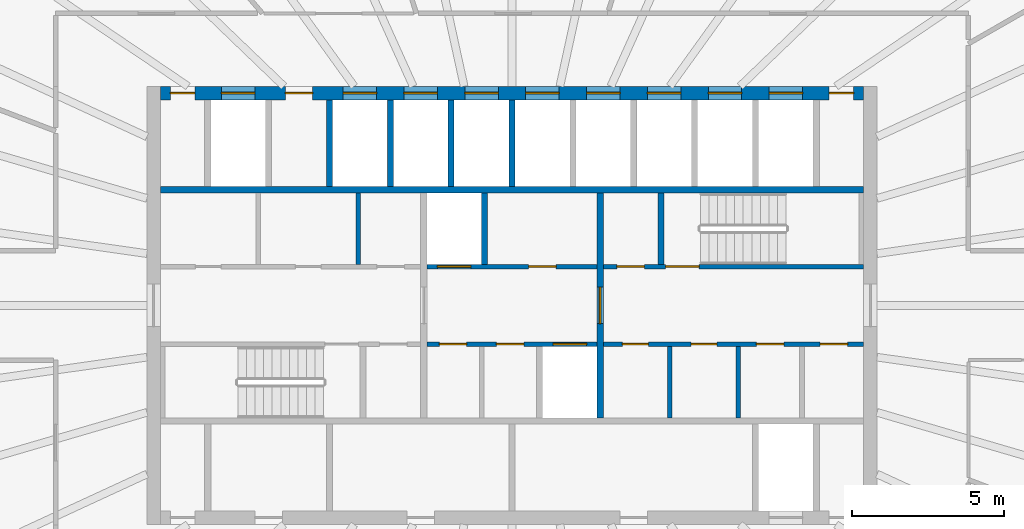
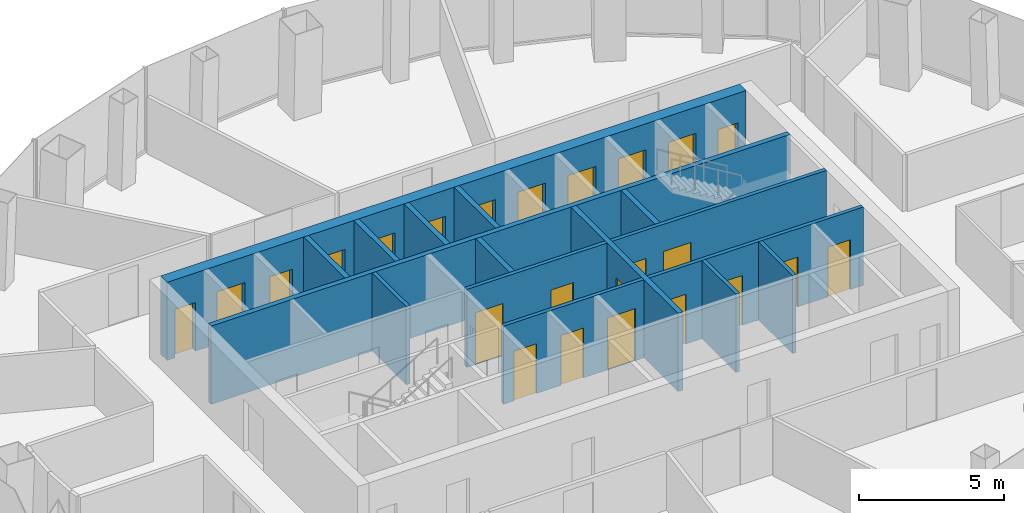
# One storey, part 9 of 11: 24 doors, 16 walls, 24 openings.
"""IFC4 building model written with IfcOpenShell, lengths in metres."""

from ifc_helpers import new_model, si_unit, direction, frame, frame_2d, origin, place, context, subcontext, project, spatial, rectangle, extrude, material, layer, layer_set, type_object, element, fill, save


model = new_model("IFC4")

# Units and contexts
model_context = context("Model", 3, precision=1e-05, world=origin(), true_north=direction((0.0, 1.0)))
body_context = subcontext(model_context, "Body", "Model", "MODEL_VIEW")
ifc_project = project(units=[si_unit("LENGTHUNIT", "METRE"), si_unit("AREAUNIT", "SQUARE_METRE"), si_unit("VOLUMEUNIT", "CUBIC_METRE"), si_unit("PLANEANGLEUNIT", "RADIAN"), si_unit("MASSUNIT", "GRAM", prefix="KILO")], contexts=[model_context])

# Site, building, storey
site_placement = place(None, origin())
site = spatial("IfcSite", under=ifc_project, at=site_placement, CompositionType="ELEMENT")
building_placement = place(site_placement, origin())
building = spatial("IfcBuilding", under=site, at=building_placement, Name="Siaravel Broadcast Tower", CompositionType="ELEMENT")
storey_placement = place(building_placement, frame((0.0, 0.0, 194.10009765625)))
storey = spatial("IfcBuildingStorey", under=building, at=storey_placement, Name="L47", CompositionType="ELEMENT", Elevation=194.10009765625)

# Walls
ifc_material_1 = material(Name="Concrete blockwork", Category="masonry")
ifc_layer_1 = layer(ifc_material_1, 0.14990234375)
ifc_layer_set_1 = layer_set([ifc_layer_1], Name="Concrete blockwork")
wall_type_1 = type_object("IfcWallType", Name="Core partition 150", PredefinedType="PARTITIONING", material=ifc_layer_set_1)
for number, where, z_axis, x_axis, name in (
    (1, (-5.054931640625, 1.35009765625, 0.0), (0.0, 0.0, 1.0), (0.0, 1.0, 0.0), "L47 core partition PNW1"),
    (2, (5.180908203125, -3.699951171875, 0.0), (0.0, 0.0, 1.0), (0.0, 1.0, 0.0), "L47 core partition PSE0"),
    (3, (7.43701171875, -3.699951171875, 0.0), (0.0, 0.0, 1.0), (0.0, 1.0, 0.0), "L47 core partition PSE1"),
):
    element("IfcWall", number, at=place(storey_placement, frame(where, z_axis=z_axis, x_axis=x_axis)), inside=storey, type_object=wall_type_1, Name=name, PredefinedType="PARTITIONING", context=body_context, shape_type="SweptSolid", body=[
        extrude(rectangle(XDim=2.349853515625, YDim=0.14990234375, at=frame_2d((1.1748046875, 0.0))), origin(), (0.0, 0.0, 1.0), 3.2998046875),
    ])

# Wall, openings, doors
ifc_material_2 = material(Name="Concrete C60/75", Category="concrete")
ifc_layer_2 = layer(ifc_material_2, 0.449951171875)
ifc_layer_set_2 = layer_set([ifc_layer_2], Name="Concrete C60/75")
wall_type_2 = type_object("IfcWallType", Name="Core wall 450", PredefinedType="SHEAR", material=ifc_layer_set_2)
wall_1_placement = place(storey_placement, frame((-11.550048828125, 6.97509765625, 0.0), z_axis=(0.0, 0.0, 1.0), x_axis=(1.0, 0.0, 0.0)))
wall_1 = element("IfcWall", 4, at=wall_1_placement, inside=storey, type_object=wall_type_2, Name="L47 core wall ON", PredefinedType="SHEAR", context=body_context, shape_type="SweptSolid", body=[
    extrude(rectangle(XDim=23.10009765625, YDim=0.449951171875, at=frame_2d((11.550048828125, 0.0))), origin(), (0.0, 0.0, 1.0), 3.2998046875),
])
opening_1_placement = place(wall_1_placement, frame((2.0, 0.0, 0.0)))
opening_1 = element("IfcOpeningElement", 5, at=opening_1_placement, cuts=wall_1, Name="Opening LD-SV2-L47", PredefinedType="OPENING", context=body_context, shape_type="SweptSolid", body=[
    extrude(rectangle(XDim=1.10009765625, YDim=2.199951171875, at=frame_2d((0.550048828125, 1.10009765625))), frame((0.0, 0.23486328125, 0.0), z_axis=(0.0, -1.0, 0.0), x_axis=(1.0, 0.0, 0.0)), (0.0, 0.0, 1.0), 0.469970703125),
])
opening_2_placement = place(wall_1_placement, frame((6.0, 0.0, 0.0)))
opening_2 = element("IfcOpeningElement", 6, at=opening_2_placement, cuts=wall_1, Name="Opening LD-HP1-L47", PredefinedType="OPENING", context=body_context, shape_type="SweptSolid", body=[
    extrude(rectangle(XDim=1.10009765625, YDim=2.199951171875, at=frame_2d((0.550048828125, 1.10009765625))), frame((0.0, 0.23486328125, 0.0), z_axis=(0.0, -1.0, 0.0), x_axis=(1.0, 0.0, 0.0)), (0.0, 0.0, 1.0), 0.469970703125),
])
opening_3_placement = place(wall_1_placement, frame((8.0, 0.0, 0.0)))
opening_3 = element("IfcOpeningElement", 7, at=opening_3_placement, cuts=wall_1, Name="Opening LD-HP2-L47", PredefinedType="OPENING", context=body_context, shape_type="SweptSolid", body=[
    extrude(rectangle(XDim=1.10009765625, YDim=2.199951171875, at=frame_2d((0.550048828125, 1.10009765625))), frame((0.0, 0.23486328125, 0.0), z_axis=(0.0, -1.0, 0.0), x_axis=(1.0, 0.0, 0.0)), (0.0, 0.0, 1.0), 0.469970703125),
])
opening_4_placement = place(wall_1_placement, frame((10.0, 0.0, 0.0)))
opening_4 = element("IfcOpeningElement", 8, at=opening_4_placement, cuts=wall_1, Name="Opening LD-HP3-L47", PredefinedType="OPENING", context=body_context, shape_type="SweptSolid", body=[
    extrude(rectangle(XDim=1.10009765625, YDim=2.199951171875, at=frame_2d((0.550048828125, 1.10009765625))), frame((0.0, 0.23486328125, 0.0), z_axis=(0.0, -1.0, 0.0), x_axis=(1.0, 0.0, 0.0)), (0.0, 0.0, 1.0), 0.469970703125),
])
opening_5_placement = place(wall_1_placement, frame((12.0, 0.0, 0.0)))
opening_5 = element("IfcOpeningElement", 9, at=opening_5_placement, cuts=wall_1, Name="Opening LD-HP4-L47", PredefinedType="OPENING", context=body_context, shape_type="SweptSolid", body=[
    extrude(rectangle(XDim=1.10009765625, YDim=2.199951171875, at=frame_2d((0.550048828125, 1.10009765625))), frame((0.0, 0.23486328125, 0.0), z_axis=(0.0, -1.0, 0.0), x_axis=(1.0, 0.0, 0.0)), (0.0, 0.0, 1.0), 0.469970703125),
])
opening_6_placement = place(wall_1_placement, frame((14.0, 0.0, 0.0)))
opening_6 = element("IfcOpeningElement", 10, at=opening_6_placement, cuts=wall_1, Name="Opening LD-HP5-L47", PredefinedType="OPENING", context=body_context, shape_type="SweptSolid", body=[
    extrude(rectangle(XDim=1.10009765625, YDim=2.199951171875, at=frame_2d((0.550048828125, 1.10009765625))), frame((0.0, 0.23486328125, 0.0), z_axis=(0.0, -1.0, 0.0), x_axis=(1.0, 0.0, 0.0)), (0.0, 0.0, 1.0), 0.469970703125),
])
opening_7_placement = place(wall_1_placement, frame((16.0, 0.0, 0.0)))
opening_7 = element("IfcOpeningElement", 11, at=opening_7_placement, cuts=wall_1, Name="Opening LD-HP6-L47", PredefinedType="OPENING", context=body_context, shape_type="SweptSolid", body=[
    extrude(rectangle(XDim=1.10009765625, YDim=2.199951171875, at=frame_2d((0.550048828125, 1.10009765625))), frame((0.0, 0.23486328125, 0.0), z_axis=(0.0, -1.0, 0.0), x_axis=(1.0, 0.0, 0.0)), (0.0, 0.0, 1.0), 0.469970703125),
])
opening_8_placement = place(wall_1_placement, frame((18.0, 0.0, 0.0)))
opening_8 = element("IfcOpeningElement", 12, at=opening_8_placement, cuts=wall_1, Name="Opening LD-HP7-L47", PredefinedType="OPENING", context=body_context, shape_type="SweptSolid", body=[
    extrude(rectangle(XDim=1.10009765625, YDim=2.199951171875, at=frame_2d((0.550048828125, 1.10009765625))), frame((0.0, 0.23486328125, 0.0), z_axis=(0.0, -1.0, 0.0), x_axis=(1.0, 0.0, 0.0)), (0.0, 0.0, 1.0), 0.469970703125),
])
opening_9_placement = place(wall_1_placement, frame((20.0, 0.0, 0.0)))
opening_9 = element("IfcOpeningElement", 13, at=opening_9_placement, cuts=wall_1, Name="Opening LD-HP8-L47", PredefinedType="OPENING", context=body_context, shape_type="SweptSolid", body=[
    extrude(rectangle(XDim=1.10009765625, YDim=2.199951171875, at=frame_2d((0.550048828125, 1.10009765625))), frame((0.0, 0.23486328125, 0.0), z_axis=(0.0, -1.0, 0.0), x_axis=(1.0, 0.0, 0.0)), (0.0, 0.0, 1.0), 0.469970703125),
])
opening_10_placement = place(wall_1_placement, frame((4.10009765625, 0.0, 0.0)))
opening_10 = element("IfcOpeningElement", 14, at=opening_10_placement, cuts=wall_1, Name="Opening L47-DFN1", PredefinedType="OPENING", context=body_context, shape_type="SweptSolid", body=[
    extrude(rectangle(XDim=0.89990234375, YDim=2.10009765625, at=frame_2d((0.449951171875, 1.050048828125))), frame((0.0, 0.23486328125, 0.0), z_axis=(0.0, -1.0, 0.0), x_axis=(1.0, 0.0, 0.0)), (0.0, 0.0, 1.0), 0.469970703125),
])
opening_11_placement = place(wall_1_placement, frame((0.324951171875, 0.0, 0.0)))
opening_11 = element("IfcOpeningElement", 15, at=opening_11_placement, cuts=wall_1, Name="Opening L47-DRNW", PredefinedType="OPENING", context=body_context, shape_type="SweptSolid", body=[
    extrude(rectangle(XDim=0.800048828125, YDim=2.050048828125, at=frame_2d((0.39990234375, 1.02490234375))), frame((0.0, 0.23486328125, 0.0), z_axis=(0.0, -1.0, 0.0), x_axis=(1.0, 0.0, 0.0)), (0.0, 0.0, 1.0), 0.469970703125),
])
opening_12_placement = place(wall_1_placement, frame((21.97509765625, 0.0, 0.0)))
opening_12 = element("IfcOpeningElement", 16, at=opening_12_placement, cuts=wall_1, Name="Opening L47-DRNE", PredefinedType="OPENING", context=body_context, shape_type="SweptSolid", body=[
    extrude(rectangle(XDim=0.800048828125, YDim=2.050048828125, at=frame_2d((0.39990234375, 1.02490234375))), frame((0.0, 0.23486328125, 0.0), z_axis=(0.0, -1.0, 0.0), x_axis=(1.0, 0.0, 0.0)), (0.0, 0.0, 1.0), 0.469970703125),
])
ifc_material_3 = material(Name="Timber veneer", Category="wood")
door_type_1 = type_object("IfcDoorType", Name="Core room door 900", OperationType="SINGLE_SWING_LEFT", PredefinedType="DOOR", material=ifc_material_3)
door_1_placement = place(opening_10_placement, origin())
door_1 = element("IfcDoor", 17, at=door_1_placement, inside=storey, type_object=door_type_1, Name="L47 door DFN1", OperationType="SINGLE_SWING_LEFT", OverallHeight=2.10009765625, OverallWidth=0.89990234375, PredefinedType="DOOR", context=body_context, shape_type="SweptSolid", body=[
    extrude(rectangle(XDim=0.89990234375, YDim=2.10009765625, at=frame_2d((0.449951171875, 1.050048828125))), frame((0.0, 0.02490234375, 0.0), z_axis=(0.0, -1.0, 0.0), x_axis=(1.0, 0.0, 0.0)), (0.0, 0.0, 1.0), 0.050048828125),
])
fill(opening_10, door_1)
ifc_material_4 = material(Name="Stainless steel 316L", Category="steel")
door_type_2 = type_object("IfcDoorType", Name="Lift landing door 1100", OperationType="DOUBLE_DOOR_SLIDING", PredefinedType="DOOR", material=ifc_material_4)
door_2_placement = place(opening_2_placement, origin())
door_2 = element("IfcDoor", 18, at=door_2_placement, inside=storey, type_object=door_type_2, Name="Landing door HP1 L47", OperationType="DOUBLE_DOOR_SLIDING", OverallHeight=2.199951171875, OverallWidth=1.10009765625, PredefinedType="DOOR", context=body_context, shape_type="SweptSolid", body=[
    extrude(rectangle(XDim=1.10009765625, YDim=2.199951171875, at=frame_2d((0.550048828125, 1.10009765625))), frame((0.0, 0.02490234375, 0.0), z_axis=(0.0, -1.0, 0.0), x_axis=(1.0, 0.0, 0.0)), (0.0, 0.0, 1.0), 0.050048828125),
])
fill(opening_2, door_2)
door_3_placement = place(opening_3_placement, origin())
door_3 = element("IfcDoor", 19, at=door_3_placement, inside=storey, type_object=door_type_2, Name="Landing door HP2 L47", OperationType="DOUBLE_DOOR_SLIDING", OverallHeight=2.199951171875, OverallWidth=1.10009765625, PredefinedType="DOOR", context=body_context, shape_type="SweptSolid", body=[
    extrude(rectangle(XDim=1.10009765625, YDim=2.199951171875, at=frame_2d((0.550048828125, 1.10009765625))), frame((0.0, 0.02490234375, 0.0), z_axis=(0.0, -1.0, 0.0), x_axis=(1.0, 0.0, 0.0)), (0.0, 0.0, 1.0), 0.050048828125),
])
fill(opening_3, door_3)
door_4_placement = place(opening_4_placement, origin())
door_4 = element("IfcDoor", 20, at=door_4_placement, inside=storey, type_object=door_type_2, Name="Landing door HP3 L47", OperationType="DOUBLE_DOOR_SLIDING", OverallHeight=2.199951171875, OverallWidth=1.10009765625, PredefinedType="DOOR", context=body_context, shape_type="SweptSolid", body=[
    extrude(rectangle(XDim=1.10009765625, YDim=2.199951171875, at=frame_2d((0.550048828125, 1.10009765625))), frame((0.0, 0.02490234375, 0.0), z_axis=(0.0, -1.0, 0.0), x_axis=(1.0, 0.0, 0.0)), (0.0, 0.0, 1.0), 0.050048828125),
])
fill(opening_4, door_4)
door_5_placement = place(opening_5_placement, origin())
door_5 = element("IfcDoor", 21, at=door_5_placement, inside=storey, type_object=door_type_2, Name="Landing door HP4 L47", OperationType="DOUBLE_DOOR_SLIDING", OverallHeight=2.199951171875, OverallWidth=1.10009765625, PredefinedType="DOOR", context=body_context, shape_type="SweptSolid", body=[
    extrude(rectangle(XDim=1.10009765625, YDim=2.199951171875, at=frame_2d((0.550048828125, 1.10009765625))), frame((0.0, 0.02490234375, 0.0), z_axis=(0.0, -1.0, 0.0), x_axis=(1.0, 0.0, 0.0)), (0.0, 0.0, 1.0), 0.050048828125),
])
fill(opening_5, door_5)
door_6_placement = place(opening_6_placement, origin())
door_6 = element("IfcDoor", 22, at=door_6_placement, inside=storey, type_object=door_type_2, Name="Landing door HP5 L47", OperationType="DOUBLE_DOOR_SLIDING", OverallHeight=2.199951171875, OverallWidth=1.10009765625, PredefinedType="DOOR", context=body_context, shape_type="SweptSolid", body=[
    extrude(rectangle(XDim=1.10009765625, YDim=2.199951171875, at=frame_2d((0.550048828125, 1.10009765625))), frame((0.0, 0.02490234375, 0.0), z_axis=(0.0, -1.0, 0.0), x_axis=(1.0, 0.0, 0.0)), (0.0, 0.0, 1.0), 0.050048828125),
])
fill(opening_6, door_6)
door_7_placement = place(opening_7_placement, origin())
door_7 = element("IfcDoor", 23, at=door_7_placement, inside=storey, type_object=door_type_2, Name="Landing door HP6 L47", OperationType="DOUBLE_DOOR_SLIDING", OverallHeight=2.199951171875, OverallWidth=1.10009765625, PredefinedType="DOOR", context=body_context, shape_type="SweptSolid", body=[
    extrude(rectangle(XDim=1.10009765625, YDim=2.199951171875, at=frame_2d((0.550048828125, 1.10009765625))), frame((0.0, 0.02490234375, 0.0), z_axis=(0.0, -1.0, 0.0), x_axis=(1.0, 0.0, 0.0)), (0.0, 0.0, 1.0), 0.050048828125),
])
fill(opening_7, door_7)
door_8_placement = place(opening_8_placement, origin())
door_8 = element("IfcDoor", 24, at=door_8_placement, inside=storey, type_object=door_type_2, Name="Landing door HP7 L47", OperationType="DOUBLE_DOOR_SLIDING", OverallHeight=2.199951171875, OverallWidth=1.10009765625, PredefinedType="DOOR", context=body_context, shape_type="SweptSolid", body=[
    extrude(rectangle(XDim=1.10009765625, YDim=2.199951171875, at=frame_2d((0.550048828125, 1.10009765625))), frame((0.0, 0.02490234375, 0.0), z_axis=(0.0, -1.0, 0.0), x_axis=(1.0, 0.0, 0.0)), (0.0, 0.0, 1.0), 0.050048828125),
])
fill(opening_8, door_8)
door_9_placement = place(opening_9_placement, origin())
door_9 = element("IfcDoor", 25, at=door_9_placement, inside=storey, type_object=door_type_2, Name="Landing door HP8 L47", OperationType="DOUBLE_DOOR_SLIDING", OverallHeight=2.199951171875, OverallWidth=1.10009765625, PredefinedType="DOOR", context=body_context, shape_type="SweptSolid", body=[
    extrude(rectangle(XDim=1.10009765625, YDim=2.199951171875, at=frame_2d((0.550048828125, 1.10009765625))), frame((0.0, 0.02490234375, 0.0), z_axis=(0.0, -1.0, 0.0), x_axis=(1.0, 0.0, 0.0)), (0.0, 0.0, 1.0), 0.050048828125),
])
fill(opening_9, door_9)
ifc_material_5 = material(Name="Steel", Category="steel")
door_type_3 = type_object("IfcDoorType", Name="Riser door 800", OperationType="SINGLE_SWING_LEFT", PredefinedType="DOOR", material=ifc_material_5)
door_10_placement = place(opening_11_placement, origin())
door_10 = element("IfcDoor", 26, at=door_10_placement, inside=storey, type_object=door_type_3, Name="L47 door DRNW", OperationType="SINGLE_SWING_LEFT", OverallHeight=2.050048828125, OverallWidth=0.800048828125, PredefinedType="DOOR", context=body_context, shape_type="SweptSolid", body=[
    extrude(rectangle(XDim=0.800048828125, YDim=2.050048828125, at=frame_2d((0.39990234375, 1.02490234375))), frame((0.0, 0.02490234375, 0.0), z_axis=(0.0, -1.0, 0.0), x_axis=(1.0, 0.0, 0.0)), (0.0, 0.0, 1.0), 0.050048828125),
])
fill(opening_11, door_10)
door_11_placement = place(opening_12_placement, origin())
door_11 = element("IfcDoor", 27, at=door_11_placement, inside=storey, type_object=door_type_3, Name="L47 door DRNE", OperationType="SINGLE_SWING_LEFT", OverallHeight=2.050048828125, OverallWidth=0.800048828125, PredefinedType="DOOR", context=body_context, shape_type="SweptSolid", body=[
    extrude(rectangle(XDim=0.800048828125, YDim=2.050048828125, at=frame_2d((0.39990234375, 1.02490234375))), frame((0.0, 0.02490234375, 0.0), z_axis=(0.0, -1.0, 0.0), x_axis=(1.0, 0.0, 0.0)), (0.0, 0.0, 1.0), 0.050048828125),
])
fill(opening_12, door_11)
door_type_4 = type_object("IfcDoorType", Name="Service lift landing door 1100", OperationType="DOUBLE_DOOR_SLIDING", PredefinedType="DOOR", material=ifc_material_4)
door_12_placement = place(opening_1_placement, origin())
door_12 = element("IfcDoor", 28, at=door_12_placement, inside=storey, type_object=door_type_4, Name="Landing door SV2 L47", OperationType="DOUBLE_DOOR_SLIDING", OverallHeight=2.199951171875, OverallWidth=1.10009765625, PredefinedType="DOOR", context=body_context, shape_type="SweptSolid", body=[
    extrude(rectangle(XDim=1.10009765625, YDim=2.199951171875, at=frame_2d((0.550048828125, 1.10009765625))), frame((0.0, 0.02490234375, 0.0), z_axis=(0.0, -1.0, 0.0), x_axis=(1.0, 0.0, 0.0)), (0.0, 0.0, 1.0), 0.050048828125),
])
fill(opening_1, door_12)

ifc_material_6 = material(Name="Gypsum board partition", Category="gypsum")
ifc_layer_3 = layer(ifc_material_6, 0.14990234375)
ifc_layer_set_3 = layer_set([ifc_layer_3], Name="Gypsum board partition")
wall_type_3 = type_object("IfcWallType", Name="Corridor wall 150", PredefinedType="PARTITIONING", material=ifc_layer_set_3)
wall_2_placement = place(storey_placement, frame((3.0, -1.27490234375, 0.0), z_axis=(0.0, 0.0, 1.0), x_axis=(1.0, 0.0, 0.0)))
wall_2 = element("IfcWall", 29, at=wall_2_placement, inside=storey, type_object=wall_type_3, Name="L47 core partition CSE", PredefinedType="PARTITIONING", context=body_context, shape_type="SweptSolid", body=[
    extrude(rectangle(XDim=8.550048828125, YDim=0.14990234375, at=frame_2d((4.27490234375, 0.0))), origin(), (0.0, 0.0, 1.0), 3.2998046875),
])
opening_13_placement = place(wall_2_placement, frame((0.6279296875, 0.0, 0.0)))
opening_13 = element("IfcOpeningElement", 30, at=opening_13_placement, cuts=wall_2, Name="Opening L47-DSE0", PredefinedType="OPENING", context=body_context, shape_type="SweptSolid", body=[
    extrude(rectangle(XDim=0.85009765625, YDim=2.10009765625, at=frame_2d((0.425048828125, 1.050048828125))), frame((0.0, 0.0849609375, 0.0), z_axis=(0.0, -1.0, 0.0), x_axis=(1.0, 0.0, 0.0)), (0.0, 0.0, 1.0), 0.169921875),
])
opening_14_placement = place(wall_2_placement, frame((2.884033203125, 0.0, 0.0)))
opening_14 = element("IfcOpeningElement", 31, at=opening_14_placement, cuts=wall_2, Name="Opening L47-DSE1", PredefinedType="OPENING", context=body_context, shape_type="SweptSolid", body=[
    extrude(rectangle(XDim=0.85009765625, YDim=2.10009765625, at=frame_2d((0.425048828125, 1.050048828125))), frame((0.0, 0.0849609375, 0.0), z_axis=(0.0, -1.0, 0.0), x_axis=(1.0, 0.0, 0.0)), (0.0, 0.0, 1.0), 0.169921875),
])
opening_15_placement = place(wall_2_placement, frame((5.033935546875, 0.0, 0.0)))
opening_15 = element("IfcOpeningElement", 32, at=opening_15_placement, cuts=wall_2, Name="Opening L47-DSE2", PredefinedType="OPENING", context=body_context, shape_type="SweptSolid", body=[
    extrude(rectangle(XDim=0.89990234375, YDim=2.10009765625, at=frame_2d((0.449951171875, 1.050048828125))), frame((0.0, 0.0849609375, 0.0), z_axis=(0.0, -1.0, 0.0), x_axis=(1.0, 0.0, 0.0)), (0.0, 0.0, 1.0), 0.169921875),
])
opening_16_placement = place(wall_2_placement, frame((7.1279296875, 0.0, 0.0)))
opening_16 = element("IfcOpeningElement", 33, at=opening_16_placement, cuts=wall_2, Name="Opening L47-DSE3", PredefinedType="OPENING", context=body_context, shape_type="SweptSolid", body=[
    extrude(rectangle(XDim=0.89990234375, YDim=2.10009765625, at=frame_2d((0.449951171875, 1.050048828125))), frame((0.0, 0.0849609375, 0.0), z_axis=(0.0, -1.0, 0.0), x_axis=(1.0, 0.0, 0.0)), (0.0, 0.0, 1.0), 0.169921875),
])
door_13_placement = place(opening_15_placement, origin())
door_13 = element("IfcDoor", 34, at=door_13_placement, inside=storey, type_object=door_type_1, Name="L47 door DSE2", OperationType="SINGLE_SWING_LEFT", OverallHeight=2.10009765625, OverallWidth=0.89990234375, PredefinedType="DOOR", context=body_context, shape_type="SweptSolid", body=[
    extrude(rectangle(XDim=0.89990234375, YDim=2.10009765625, at=frame_2d((0.449951171875, 1.050048828125))), frame((0.0, 0.02490234375, 0.0), z_axis=(0.0, -1.0, 0.0), x_axis=(1.0, 0.0, 0.0)), (0.0, 0.0, 1.0), 0.050048828125),
])
fill(opening_15, door_13)
door_14_placement = place(opening_16_placement, origin())
door_14 = element("IfcDoor", 35, at=door_14_placement, inside=storey, type_object=door_type_1, Name="L47 door DSE3", OperationType="SINGLE_SWING_LEFT", OverallHeight=2.10009765625, OverallWidth=0.89990234375, PredefinedType="DOOR", context=body_context, shape_type="SweptSolid", body=[
    extrude(rectangle(XDim=0.89990234375, YDim=2.10009765625, at=frame_2d((0.449951171875, 1.050048828125))), frame((0.0, 0.02490234375, 0.0), z_axis=(0.0, -1.0, 0.0), x_axis=(1.0, 0.0, 0.0)), (0.0, 0.0, 1.0), 0.050048828125),
])
fill(opening_16, door_14)
door_type_5 = type_object("IfcDoorType", Name="Core toilet door 850", OperationType="SINGLE_SWING_LEFT", PredefinedType="DOOR", material=ifc_material_3)
door_15_placement = place(opening_13_placement, origin())
door_15 = element("IfcDoor", 36, at=door_15_placement, inside=storey, type_object=door_type_5, Name="L47 door DSE0", OperationType="SINGLE_SWING_LEFT", OverallHeight=2.10009765625, OverallWidth=0.85009765625, PredefinedType="DOOR", context=body_context, shape_type="SweptSolid", body=[
    extrude(rectangle(XDim=0.85009765625, YDim=2.10009765625, at=frame_2d((0.425048828125, 1.050048828125))), frame((0.0, 0.02490234375, 0.0), z_axis=(0.0, -1.0, 0.0), x_axis=(1.0, 0.0, 0.0)), (0.0, 0.0, 1.0), 0.050048828125),
])
fill(opening_13, door_15)
door_16_placement = place(opening_14_placement, origin())
door_16 = element("IfcDoor", 37, at=door_16_placement, inside=storey, type_object=door_type_5, Name="L47 door DSE1", OperationType="SINGLE_SWING_LEFT", OverallHeight=2.10009765625, OverallWidth=0.85009765625, PredefinedType="DOOR", context=body_context, shape_type="SweptSolid", body=[
    extrude(rectangle(XDim=0.85009765625, YDim=2.10009765625, at=frame_2d((0.425048828125, 1.050048828125))), frame((0.0, 0.02490234375, 0.0), z_axis=(0.0, -1.0, 0.0), x_axis=(1.0, 0.0, 0.0)), (0.0, 0.0, 1.0), 0.050048828125),
])
fill(opening_14, door_16)

ifc_layer_4 = layer(ifc_material_2, 0.14990234375)
ifc_layer_set_4 = layer_set([ifc_layer_4], Name="Concrete C60/75")
wall_type_4 = type_object("IfcWallType", Name="Shaft wall 150", PredefinedType="SHEAR", material=ifc_layer_set_4)
wall_3_placement = place(storey_placement, frame((-2.800048828125, -1.27490234375, 0.0), z_axis=(0.0, 0.0, 1.0), x_axis=(1.0, 0.0, 0.0)))
wall_3 = element("IfcWall", 38, at=wall_3_placement, inside=storey, type_object=wall_type_4, Name="L47 core wall CSM", PredefinedType="SHEAR", context=body_context, shape_type="SweptSolid", body=[
    extrude(rectangle(XDim=5.60009765625, YDim=0.14990234375, at=frame_2d((2.800048828125, 0.0))), origin(), (0.0, 0.0, 1.0), 3.2998046875),
])
opening_17_placement = place(wall_3_placement, frame((4.14990234375, 0.0, 0.0)))
opening_17 = element("IfcOpeningElement", 39, at=opening_17_placement, cuts=wall_3, Name="Opening LD-FL2-L47", PredefinedType="OPENING", context=body_context, shape_type="SweptSolid", body=[
    extrude(rectangle(XDim=1.10009765625, YDim=2.199951171875, at=frame_2d((0.550048828125, 1.10009765625))), frame((0.0, 0.0849609375, 0.0), z_axis=(0.0, -1.0, 0.0), x_axis=(1.0, 0.0, 0.0)), (0.0, 0.0, 1.0), 0.169921875),
])
opening_18_placement = place(wall_3_placement, frame((0.41259765625, 0.0, 0.0)))
opening_18 = element("IfcOpeningElement", 40, at=opening_18_placement, cuts=wall_3, Name="Opening L47-DSM0", PredefinedType="OPENING", context=body_context, shape_type="SweptSolid", body=[
    extrude(rectangle(XDim=0.89990234375, YDim=2.10009765625, at=frame_2d((0.449951171875, 1.050048828125))), frame((0.0, 0.0849609375, 0.0), z_axis=(0.0, -1.0, 0.0), x_axis=(1.0, 0.0, 0.0)), (0.0, 0.0, 1.0), 0.169921875),
])
opening_19_placement = place(wall_3_placement, frame((2.28759765625, 0.0, 0.0)))
opening_19 = element("IfcOpeningElement", 41, at=opening_19_placement, cuts=wall_3, Name="Opening L47-DSM1", PredefinedType="OPENING", context=body_context, shape_type="SweptSolid", body=[
    extrude(rectangle(XDim=0.89990234375, YDim=2.10009765625, at=frame_2d((0.449951171875, 1.050048828125))), frame((0.0, 0.0849609375, 0.0), z_axis=(0.0, -1.0, 0.0), x_axis=(1.0, 0.0, 0.0)), (0.0, 0.0, 1.0), 0.169921875),
])
door_17_placement = place(opening_18_placement, origin())
door_17 = element("IfcDoor", 42, at=door_17_placement, inside=storey, type_object=door_type_1, Name="L47 door DSM0", OperationType="SINGLE_SWING_LEFT", OverallHeight=2.10009765625, OverallWidth=0.89990234375, PredefinedType="DOOR", context=body_context, shape_type="SweptSolid", body=[
    extrude(rectangle(XDim=0.89990234375, YDim=2.10009765625, at=frame_2d((0.449951171875, 1.050048828125))), frame((0.0, 0.02490234375, 0.0), z_axis=(0.0, -1.0, 0.0), x_axis=(1.0, 0.0, 0.0)), (0.0, 0.0, 1.0), 0.050048828125),
])
fill(opening_18, door_17)
door_18_placement = place(opening_19_placement, origin())
door_18 = element("IfcDoor", 43, at=door_18_placement, inside=storey, type_object=door_type_1, Name="L47 door DSM1", OperationType="SINGLE_SWING_LEFT", OverallHeight=2.10009765625, OverallWidth=0.89990234375, PredefinedType="DOOR", context=body_context, shape_type="SweptSolid", body=[
    extrude(rectangle(XDim=0.89990234375, YDim=2.10009765625, at=frame_2d((0.449951171875, 1.050048828125))), frame((0.0, 0.02490234375, 0.0), z_axis=(0.0, -1.0, 0.0), x_axis=(1.0, 0.0, 0.0)), (0.0, 0.0, 1.0), 0.050048828125),
])
fill(opening_19, door_18)
door_type_6 = type_object("IfcDoorType", Name="Firefighting lift landing door 1100", OperationType="DOUBLE_DOOR_SLIDING", PredefinedType="DOOR", material=ifc_material_4)
door_19_placement = place(opening_17_placement, origin())
door_19 = element("IfcDoor", 44, at=door_19_placement, inside=storey, type_object=door_type_6, Name="Landing door FL2 L47", OperationType="DOUBLE_DOOR_SLIDING", OverallHeight=2.199951171875, OverallWidth=1.10009765625, PredefinedType="DOOR", context=body_context, shape_type="SweptSolid", body=[
    extrude(rectangle(XDim=1.10009765625, YDim=2.199951171875, at=frame_2d((0.550048828125, 1.10009765625))), frame((0.0, 0.02490234375, 0.0), z_axis=(0.0, -1.0, 0.0), x_axis=(1.0, 0.0, 0.0)), (0.0, 0.0, 1.0), 0.050048828125),
])
fill(opening_17, door_19)

wall_4_placement = place(storey_placement, frame((-2.800048828125, 1.27490234375, 0.0), z_axis=(0.0, 0.0, 1.0), x_axis=(1.0, 0.0, 0.0)))
wall_4 = element("IfcWall", 45, at=wall_4_placement, inside=storey, type_object=wall_type_4, Name="L47 core wall CNM", PredefinedType="SHEAR", context=body_context, shape_type="SweptSolid", body=[
    extrude(rectangle(XDim=5.60009765625, YDim=0.14990234375, at=frame_2d((2.800048828125, 0.0))), origin(), (0.0, 0.0, 1.0), 3.2998046875),
])
opening_20_placement = place(wall_4_placement, frame((0.35009765625, 0.0, 0.0)))
opening_20 = element("IfcOpeningElement", 46, at=opening_20_placement, cuts=wall_4, Name="Opening LD-FL1-L47", PredefinedType="OPENING", context=body_context, shape_type="SweptSolid", body=[
    extrude(rectangle(XDim=1.10009765625, YDim=2.199951171875, at=frame_2d((0.550048828125, 1.10009765625))), frame((0.0, 0.0849609375, 0.0), z_axis=(0.0, -1.0, 0.0), x_axis=(1.0, 0.0, 0.0)), (0.0, 0.0, 1.0), 0.169921875),
])
opening_21_placement = place(wall_4_placement, frame((3.35009765625, 0.0, 0.0)))
opening_21 = element("IfcOpeningElement", 47, at=opening_21_placement, cuts=wall_4, Name="Opening L47-DNM0", PredefinedType="OPENING", context=body_context, shape_type="SweptSolid", body=[
    extrude(rectangle(XDim=0.89990234375, YDim=2.10009765625, at=frame_2d((0.449951171875, 1.050048828125))), frame((0.0, 0.0849609375, 0.0), z_axis=(0.0, -1.0, 0.0), x_axis=(1.0, 0.0, 0.0)), (0.0, 0.0, 1.0), 0.169921875),
])
door_20_placement = place(opening_21_placement, origin())
door_20 = element("IfcDoor", 48, at=door_20_placement, inside=storey, type_object=door_type_1, Name="L47 door DNM0", OperationType="SINGLE_SWING_LEFT", OverallHeight=2.10009765625, OverallWidth=0.89990234375, PredefinedType="DOOR", context=body_context, shape_type="SweptSolid", body=[
    extrude(rectangle(XDim=0.89990234375, YDim=2.10009765625, at=frame_2d((0.449951171875, 1.050048828125))), frame((0.0, 0.02490234375, 0.0), z_axis=(0.0, -1.0, 0.0), x_axis=(1.0, 0.0, 0.0)), (0.0, 0.0, 1.0), 0.050048828125),
])
fill(opening_21, door_20)
door_21_placement = place(opening_20_placement, origin())
door_21 = element("IfcDoor", 49, at=door_21_placement, inside=storey, type_object=door_type_6, Name="Landing door FL1 L47", OperationType="DOUBLE_DOOR_SLIDING", OverallHeight=2.199951171875, OverallWidth=1.10009765625, PredefinedType="DOOR", context=body_context, shape_type="SweptSolid", body=[
    extrude(rectangle(XDim=1.10009765625, YDim=2.199951171875, at=frame_2d((0.550048828125, 1.10009765625))), frame((0.0, 0.02490234375, 0.0), z_axis=(0.0, -1.0, 0.0), x_axis=(1.0, 0.0, 0.0)), (0.0, 0.0, 1.0), 0.050048828125),
])
fill(opening_20, door_21)

wall_5_placement = place(storey_placement, frame((3.0, 1.27490234375, 0.0), z_axis=(0.0, 0.0, 1.0), x_axis=(1.0, 0.0, 0.0)))
wall_5 = element("IfcWall", 50, at=wall_5_placement, inside=storey, type_object=wall_type_4, Name="L47 core wall CNE", PredefinedType="SHEAR", context=body_context, shape_type="SweptSolid", body=[
    extrude(rectangle(XDim=8.550048828125, YDim=0.14990234375, at=frame_2d((4.27490234375, 0.0))), origin(), (0.0, 0.0, 1.0), 3.2998046875),
])
opening_22_placement = place(wall_5_placement, frame((2.050048828125, 0.0, 0.0)))
opening_22 = element("IfcOpeningElement", 51, at=opening_22_placement, cuts=wall_5, Name="Opening L47-DS-2", PredefinedType="OPENING", context=body_context, shape_type="SweptSolid", body=[
    extrude(rectangle(XDim=1.10009765625, YDim=2.14990234375, at=frame_2d((0.550048828125, 1.074951171875))), frame((0.0, 0.0849609375, 0.0), z_axis=(0.0, -1.0, 0.0), x_axis=(1.0, 0.0, 0.0)), (0.0, 0.0, 1.0), 0.169921875),
])
opening_23_placement = place(wall_5_placement, frame((0.449951171875, 0.0, 0.0)))
opening_23 = element("IfcOpeningElement", 52, at=opening_23_placement, cuts=wall_5, Name="Opening L47-DNE0", PredefinedType="OPENING", context=body_context, shape_type="SweptSolid", body=[
    extrude(rectangle(XDim=0.89990234375, YDim=2.10009765625, at=frame_2d((0.449951171875, 1.050048828125))), frame((0.0, 0.0849609375, 0.0), z_axis=(0.0, -1.0, 0.0), x_axis=(1.0, 0.0, 0.0)), (0.0, 0.0, 1.0), 0.169921875),
])
door_22_placement = place(opening_23_placement, origin())
door_22 = element("IfcDoor", 53, at=door_22_placement, inside=storey, type_object=door_type_1, Name="L47 door DNE0", OperationType="SINGLE_SWING_LEFT", OverallHeight=2.10009765625, OverallWidth=0.89990234375, PredefinedType="DOOR", context=body_context, shape_type="SweptSolid", body=[
    extrude(rectangle(XDim=0.89990234375, YDim=2.10009765625, at=frame_2d((0.449951171875, 1.050048828125))), frame((0.0, 0.02490234375, 0.0), z_axis=(0.0, -1.0, 0.0), x_axis=(1.0, 0.0, 0.0)), (0.0, 0.0, 1.0), 0.050048828125),
])
fill(opening_23, door_22)
door_type_7 = type_object("IfcDoorType", Name="Stair door 1100", OperationType="SINGLE_SWING_LEFT", PredefinedType="DOOR", material=ifc_material_5)
door_23_placement = place(opening_22_placement, origin())
door_23 = element("IfcDoor", 54, at=door_23_placement, inside=storey, type_object=door_type_7, Name="L47 door DS-2", OperationType="SINGLE_SWING_LEFT", OverallHeight=2.14990234375, OverallWidth=1.10009765625, PredefinedType="DOOR", context=body_context, shape_type="SweptSolid", body=[
    extrude(rectangle(XDim=1.10009765625, YDim=2.14990234375, at=frame_2d((0.550048828125, 1.074951171875))), frame((0.0, 0.02490234375, 0.0), z_axis=(0.0, -1.0, 0.0), x_axis=(1.0, 0.0, 0.0)), (0.0, 0.0, 1.0), 0.050048828125),
])
fill(opening_22, door_23)

# Walls
ifc_layer_5 = layer(ifc_material_2, 0.199951171875)
ifc_layer_set_5 = layer_set([ifc_layer_5], Name="Concrete C60/75")
wall_type_5 = type_object("IfcWallType", Name="Shaft wall 200", PredefinedType="SHEAR", material=ifc_layer_set_5)
wall_6_placement = place(storey_placement, frame((-11.550048828125, 3.800048828125, 0.0), z_axis=(0.0, 0.0, 1.0), x_axis=(1.0, 0.0, 0.0)))
element("IfcWall", 55, at=wall_6_placement, inside=storey, type_object=wall_type_5, Name="L47 core wall BN", PredefinedType="SHEAR", context=body_context, shape_type="SweptSolid", body=[
    extrude(rectangle(XDim=23.10009765625, YDim=0.199951171875, at=frame_2d((11.550048828125, 0.0))), origin(), (0.0, 0.0, 1.0), 3.2998046875),
])
for number, where, z_axis, x_axis, name in (
    (56, (-6.0, 3.89990234375, 0.0), (0.0, 0.0, 1.0), (0.0, 1.0, 0.0), "L47 core wall SWN2"),
    (57, (-4.0, 3.89990234375, 0.0), (0.0, 0.0, 1.0), (0.0, 1.0, 0.0), "L47 core wall SWN3"),
    (58, (-2.0, 3.89990234375, 0.0), (0.0, 0.0, 1.0), (0.0, 1.0, 0.0), "L47 core wall SWN4"),
    (59, (0.0, 3.89990234375, 0.0), (0.0, 0.0, 1.0), (0.0, 1.0, 0.0), "L47 core wall SWN5"),
):
    element("IfcWall", number, at=place(storey_placement, frame(where, z_axis=z_axis, x_axis=x_axis)), inside=storey, type_object=wall_type_5, Name=name, PredefinedType="SHEAR", context=body_context, shape_type="SweptSolid", body=[
        extrude(rectangle(XDim=2.85009765625, YDim=0.199951171875, at=frame_2d((1.425048828125, 0.0))), origin(), (0.0, 0.0, 1.0), 3.2998046875),
    ])

# Wall, opening, door
wall_7_placement = place(storey_placement, frame((2.89990234375, -3.699951171875, 0.0), z_axis=(0.0, 0.0, 1.0), x_axis=(0.0, 1.0, 0.0)))
wall_7 = element("IfcWall", 60, at=wall_7_placement, inside=storey, type_object=wall_type_5, Name="L47 core wall LE", PredefinedType="SHEAR", context=body_context, shape_type="SweptSolid", body=[
    extrude(rectangle(XDim=7.39990234375, YDim=0.199951171875, at=frame_2d((3.699951171875, 0.0))), origin(), (0.0, 0.0, 1.0), 3.2998046875),
])
opening_24_placement = place(wall_7_placement, frame((3.10009765625, 0.0, 0.0)))
opening_24 = element("IfcOpeningElement", 61, at=opening_24_placement, cuts=wall_7, Name="Opening L47-DL-E", PredefinedType="OPENING", context=body_context, shape_type="SweptSolid", body=[
    extrude(rectangle(XDim=1.199951171875, YDim=2.199951171875, at=frame_2d((0.60009765625, 1.10009765625))), frame((0.0, 0.10986328125, 0.0), z_axis=(0.0, -1.0, 0.0), x_axis=(1.0, 0.0, 0.0)), (0.0, 0.0, 1.0), 0.219970703125),
])
door_type_8 = type_object("IfcDoorType", Name="Firefighting lobby door 1200", OperationType="SINGLE_SWING_LEFT", PredefinedType="DOOR", material=ifc_material_5)
door_24_placement = place(opening_24_placement, origin())
door_24 = element("IfcDoor", 62, at=door_24_placement, inside=storey, type_object=door_type_8, Name="L47 door DL-E", OperationType="SINGLE_SWING_LEFT", OverallHeight=2.199951171875, OverallWidth=1.199951171875, PredefinedType="DOOR", context=body_context, shape_type="SweptSolid", body=[
    extrude(rectangle(XDim=1.199951171875, YDim=2.199951171875, at=frame_2d((0.60009765625, 1.10009765625))), frame((0.0, 0.02490234375, 0.0), z_axis=(0.0, -1.0, 0.0), x_axis=(1.0, 0.0, 0.0)), (0.0, 0.0, 1.0), 0.050048828125),
])
fill(opening_24, door_24)

# Walls
for number, where, z_axis, x_axis, name in (
    (63, (-0.89990234375, 1.35009765625, 0.0), (0.0, 0.0, 1.0), (0.0, 1.0, 0.0), "L47 core wall FF1E"),
    (64, (4.89990234375, 1.35009765625, 0.0), (0.0, 0.0, 1.0), (0.0, 1.0, 0.0), "L47 core wall ST2W"),
):
    element("IfcWall", number, at=place(storey_placement, frame(where, z_axis=z_axis, x_axis=x_axis)), inside=storey, type_object=wall_type_5, Name=name, PredefinedType="SHEAR", context=body_context, shape_type="SweptSolid", body=[
        extrude(rectangle(XDim=2.349853515625, YDim=0.199951171875, at=frame_2d((1.1748046875, 0.0))), origin(), (0.0, 0.0, 1.0), 3.2998046875),
    ])

save(model, "model.ifc")
